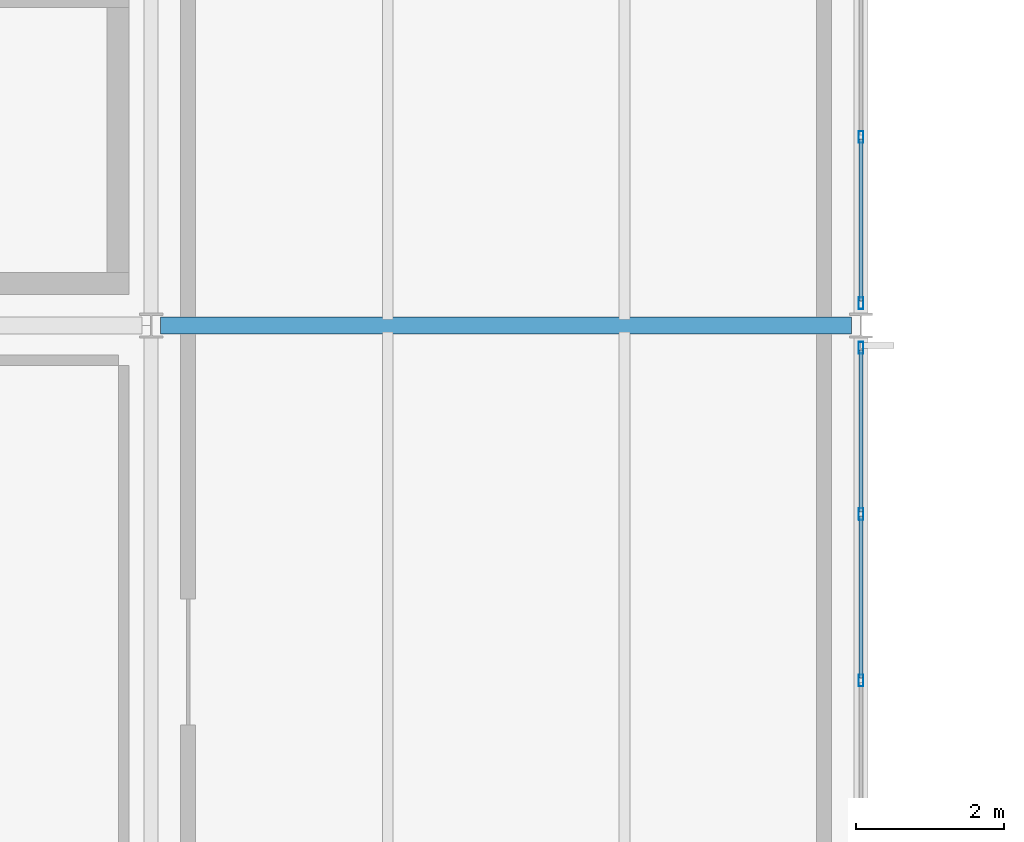
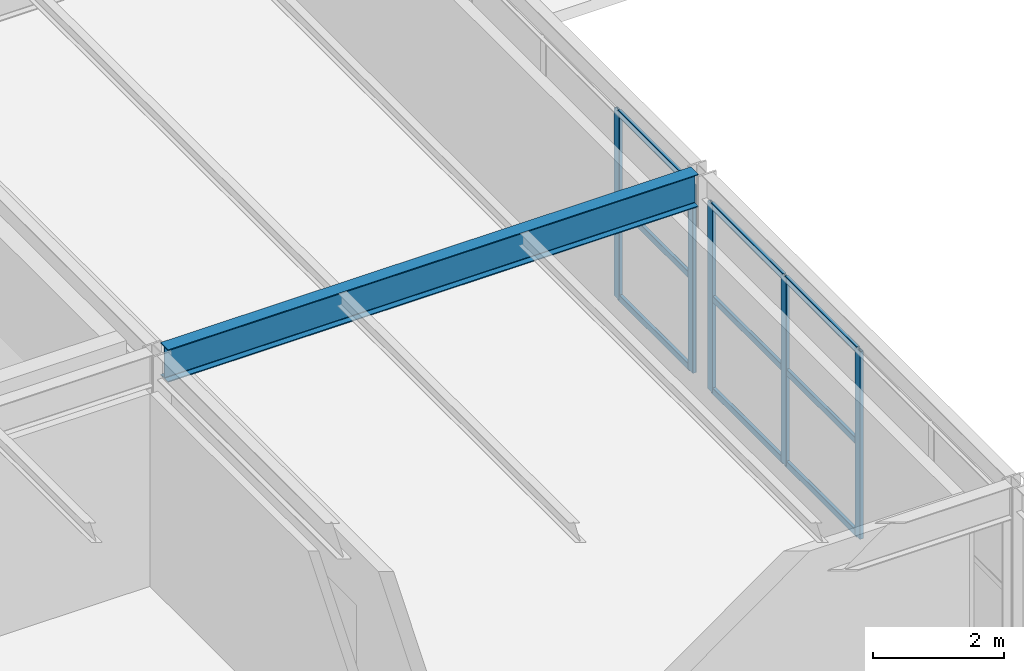
# One storey, part 22 of 126: 14 members, 1 beam, 2 elements without a shape of their own.
"""IFC4 building model written with IfcOpenShell, lengths in metres."""

import ifcopenshell
import ifcopenshell.guid

model = None  # the IFC model being written
_history = None  # IfcOwnerHistory: only IFC2X3 demands one
_inside = {}  # id of a spatial element -> (the spatial element, [elements in it])
_under = {}  # id of a project, library or spatial element -> (it, [spatial elements below it])
_declared = {}  # id of a project -> (the project, [libraries it declares])
_typed = {}  # id of a type object -> (the type object, [elements of that type])
_made_of = {}  # id of a material, layer set ... -> (it, [elements and type objects made of it])


def new_model(schema):
    """Start an empty IFC model of exactly this schema.

    Asked for "IFC4X3", IfcOpenShell would pick the latest addendum, in which some entities
    have other attributes; the version numbers below select the first issue.
    IFC2X3 requires an IfcOwnerHistory on every rooted entity: one is made here for all.
    """
    global model, _history
    if schema == "IFC4X3":
        model = ifcopenshell.file(schema_version=(4, 3, 0, 0))
    else:
        model = ifcopenshell.file(schema=schema)
    _inside.clear()
    _under.clear()
    _declared.clear()
    _typed.clear()
    _made_of.clear()
    _history = None
    if model.schema == "IFC2X3":
        org = make("IfcOrganization", Name="unknown")
        user = make(
            "IfcPersonAndOrganization",
            ThePerson=make("IfcPerson", FamilyName="unknown"),
            TheOrganization=org,
        )
        app = make(
            "IfcApplication",
            ApplicationDeveloper=org,
            Version="unknown",
            ApplicationFullName="unknown",
            ApplicationIdentifier="unknown",
        )
        _history = make(
            "IfcOwnerHistory",
            OwningUser=user,
            OwningApplication=app,
            ChangeAction="ADDED",
            CreationDate=0,
        )
    return model


def make(cls, **values):
    """One entity of the class cls with the attributes given. An attribute that is None is left unset."""
    return model.create_entity(
        cls, **{name: value for name, value in values.items() if value is not None}
    )


def rooted(cls, **values):
    """An entity with a GlobalId (a new one), such as an element, a storey or a relation."""
    return make(cls, GlobalId=ifcopenshell.guid.new(), OwnerHistory=_history, **values)


def si_unit(unit_type, name, prefix=None):
    """IfcSIUnit, for example si_unit("LENGTHUNIT", "METRE", prefix="MILLI")."""
    return make("IfcSIUnit", UnitType=unit_type, Prefix=prefix, Name=name)


def assignment(units):
    """IfcUnitAssignment: the units of a project."""
    return None if units is None else make("IfcUnitAssignment", Units=units)


def point(xyz):
    """IfcCartesianPoint."""
    return None if xyz is None else make("IfcCartesianPoint", Coordinates=xyz)


def direction(xyz):
    """IfcDirection."""
    return None if xyz is None else make("IfcDirection", DirectionRatios=xyz)


def frame(location, z_axis=None, x_axis=None):
    """IfcAxis2Placement3D, a coordinate frame: its origin and axes. An axis left out is left unset."""
    return make(
        "IfcAxis2Placement3D",
        Location=point(location),
        Axis=direction(z_axis),
        RefDirection=direction(x_axis),
    )


def frame_2d(location, x_axis=None):
    """IfcAxis2Placement2D, a coordinate frame in the plane: its origin and x axis."""
    return make(
        "IfcAxis2Placement2D", Location=point(location), RefDirection=direction(x_axis)
    )


def origin():
    """The frame at (0, 0, 0) with its axes left unset."""
    return frame((0.0, 0.0, 0.0))


def origin_2d():
    """The frame at (0, 0) in the plane with its x axis left unset."""
    return frame_2d((0.0, 0.0))


def place(relative_to, where):
    """IfcLocalPlacement: puts the frame where relative to a parent placement (None: the world)."""
    return make(
        "IfcLocalPlacement", PlacementRelTo=relative_to, RelativePlacement=where
    )


def context(
    kind, dimensions, precision=None, world=None, true_north=None, identifier=None
):
    """IfcGeometricRepresentationContext, for example the 3D "Model" context."""
    return make(
        "IfcGeometricRepresentationContext",
        ContextIdentifier=identifier,
        ContextType=kind,
        CoordinateSpaceDimension=dimensions,
        Precision=precision,
        WorldCoordinateSystem=world,
        TrueNorth=true_north,
    )


def subcontext(parent, identifier, kind, view, scale=None):
    """IfcGeometricRepresentationSubContext, for example "Body" below "Model"."""
    return make(
        "IfcGeometricRepresentationSubContext",
        ContextIdentifier=identifier,
        ContextType=kind,
        ParentContext=parent,
        TargetScale=scale,
        TargetView=view,
    )


def project(units=None, contexts=None):
    """IfcProject with its units and contexts."""
    return rooted(
        "IfcProject",
        Name="project",
        RepresentationContexts=contexts,
        UnitsInContext=assignment(units),
    )


def spatial(cls, under=None, at=None, **own):
    """A site, building, storey or space (cls), placed at a placement, below another one or the project."""
    s = rooted(cls, ObjectPlacement=at, **own)
    if under is not None:
        _under.setdefault(under.id(), (under, []))[1].append(s)
    return s


def profile(cls, at=None, kind="AREA", **sizes):
    """A parametric profile (cls). Its sizes go by their IFC names, for example OverallWidth=200.0."""
    return make(cls, ProfileType=kind, Position=at, **sizes)


def hollow_rectangle(**sizes):
    """IfcRectangleHollowProfileDef."""
    return profile("IfcRectangleHollowProfileDef", **sizes)


def i_section(**sizes):
    """IfcIShapeProfileDef."""
    return profile("IfcIShapeProfileDef", **sizes)


def extrude(swept, where, along, depth):
    """IfcExtrudedAreaSolid: the profile swept, set in the frame where, extruded along a direction by depth."""
    return make(
        "IfcExtrudedAreaSolid",
        SweptArea=swept,
        Position=where,
        ExtrudedDirection=direction(along),
        Depth=depth,
    )


def shape(context_of_items, identifier, shape_type, items):
    """IfcShapeRepresentation: the items that make up one representation, for example the "Body"."""
    return make(
        "IfcShapeRepresentation",
        ContextOfItems=context_of_items,
        RepresentationIdentifier=identifier,
        RepresentationType=shape_type,
        Items=items,
    )


def material(Name=None, Category=None):
    """IfcMaterial."""
    return make("IfcMaterial", Name=Name, Category=Category)


def material_profile(
    of_material, cross_section, Name=None, Category=None, Priority=None
):
    """IfcMaterialProfile: a cross section and its material."""
    return make(
        "IfcMaterialProfile",
        Name=Name,
        Material=of_material,
        Profile=cross_section,
        Priority=Priority,
        Category=Category,
    )


def profile_set(profiles, Name=None, composite=None):
    """IfcMaterialProfileSet."""
    return make(
        "IfcMaterialProfileSet",
        Name=Name,
        MaterialProfiles=profiles,
        CompositeProfile=composite,
    )


def made_of(thing, what):
    """Note that an element or type object is made of a material, layer set ...; save() writes the relation."""
    if what is not None:
        _made_of.setdefault(what.id(), (what, []))[1].append(thing)
    return thing


def type_object(cls, material=None, **own):
    """A type object (cls), such as IfcWallType, which elements share."""
    return made_of(rooted(cls, **own), material)


def element(
    cls,
    number,
    at=None,
    inside=None,
    cuts=None,
    type_object=None,
    material=None,
    context=None,
    identifier="Body",
    shape_type=None,
    held_by="IfcProductDefinitionShape",
    body=None,
    shapes=None,
    **own,
):
    """One element of the class cls, such as IfcWall. Its Tag is "e" and its number.

    at: its placement. inside: the storey or other place that contains it. cuts: it is an
    opening in that element (IfcRelVoidsElement). A single representation is given by context,
    identifier, shape_type and body (its items); several are given by shapes. held_by: the class
    of the entity that holds the representations. save() writes the other relations.
    """
    e = rooted(cls, Tag="e%d" % number, ObjectPlacement=at, **own)
    if body is not None:
        shapes = [shape(context, identifier, shape_type, body)]
    if shapes is not None:
        e.Representation = make(held_by, Representations=shapes)
    if inside is not None:
        _inside.setdefault(inside.id(), (inside, []))[1].append(e)
    if cuts is not None:
        rooted(
            "IfcRelVoidsElement", RelatingBuildingElement=cuts, RelatedOpeningElement=e
        )
    if type_object is not None:
        _typed.setdefault(type_object.id(), (type_object, []))[1].append(e)
    return made_of(e, material)


def aggregate(whole, parts):
    """IfcRelAggregates: a whole, such as a stair, and the parts it consists of."""
    return rooted("IfcRelAggregates", RelatingObject=whole, RelatedObjects=parts)


def save(model, path):
    """Write the relations noted so far, then the file.

    IfcRelAggregates (storeys below a building ...), IfcRelContainedInSpatialStructure (elements
    in a storey), IfcRelDefinesByType, IfcRelAssociatesMaterial and IfcRelDeclares: one each for
    every whole, place, type object, material and project.
    """
    for whole, parts in _under.values():
        aggregate(whole, parts)
    for where, things in _inside.values():
        rooted(
            "IfcRelContainedInSpatialStructure",
            RelatedElements=things,
            RelatingStructure=where,
        )
    for kind, things in _typed.values():
        rooted("IfcRelDefinesByType", RelatedObjects=things, RelatingType=kind)
    for what, things in _made_of.values():
        rooted("IfcRelAssociatesMaterial", RelatedObjects=things, RelatingMaterial=what)
    for by, libraries in _declared.values():
        rooted("IfcRelDeclares", RelatingContext=by, RelatedDefinitions=libraries)
    model.write(path)


model = new_model("IFC4")

# Units and contexts
model_context = context("Model", 3, precision=1e-05, world=origin(), true_north=direction((0.0, 1.0)))
body_context = subcontext(model_context, "Body", "Model", "MODEL_VIEW")
ifc_project = project(units=[si_unit("LENGTHUNIT", "METRE"), si_unit("AREAUNIT", "SQUARE_METRE"), si_unit("VOLUMEUNIT", "CUBIC_METRE"), si_unit("PLANEANGLEUNIT", "RADIAN"), si_unit("MASSUNIT", "GRAM", prefix="KILO")], contexts=[model_context])

# Site, building, storey
site_placement = place(None, origin())
site = spatial("IfcSite", under=ifc_project, at=site_placement, CompositionType="ELEMENT")
building_placement = place(site_placement, origin())
building = spatial("IfcBuilding", under=site, at=building_placement, Name="Coralgate Yard Interchange", CompositionType="ELEMENT")
storey_placement = place(building_placement, frame((0.0, 0.0, 10.5)))
storey = spatial("IfcBuildingStorey", under=building, at=storey_placement, Name="L02", CompositionType="ELEMENT", Elevation=10.5)

# Beam
ifc_material_1 = material(Name="Structural steel S355J2", Category="steel")
ifc_material_profile_1 = material_profile(ifc_material_1, i_section(OverallWidth=0.228271484375, OverallDepth=0.607666015625, WebThickness=0.010986328125, FlangeThickness=0.017333984375, FilletRadius=0.0126953125, at=origin_2d()), Name="UB 610x229x113")
ifc_profile_set_1 = profile_set([ifc_material_profile_1], Name="Structural steel S355J2")
beam_type = type_object("IfcBeamType", Name="BM-SG-5", PredefinedType="BEAM", material=ifc_profile_set_1)
beam_placement = place(storey_placement, frame((19.3271484375, 28.800048828125, 3.646240234375), z_axis=(1.0, 0.0, 0.0), x_axis=(0.0, 1.0, 0.0)))
element("IfcBeam", 1, at=beam_placement, inside=storey, type_object=beam_type, Name="L02 primary grid beam Y3 X2-3", PredefinedType="BEAM", context=body_context, shape_type="SweptSolid", body=[
    extrude(i_section(OverallWidth=0.228271484375, OverallDepth=0.607666015625, WebThickness=0.010986328125, FlangeThickness=0.017333984375, FilletRadius=0.0126953125, at=origin_2d()), origin(), (0.0, 0.0, 1.0), 9.345458984375),
])

# Curtain wall, members
ifc_material_2 = material(Name="Anodised coastal aluminium and solar-control low-E glass", Category="aluminium")
curtain_wall_type = type_object("IfcCurtainWallType", Name="CW-CW-L02-A", PredefinedType="NOTDEFINED", material=ifc_material_2)
curtain_wall_1_placement = place(storey_placement, origin())
curtain_wall_1 = element("IfcCurtainWall", 2, at=curtain_wall_1_placement, inside=storey, type_object=curtain_wall_type, Name="L02 unitised curtain wall CW-L02-E-02-02", PredefinedType="NOTDEFINED")
ifc_material_3 = material(Name="Anodised coastal aluminium 6063-T6", Category="aluminium")
ifc_material_profile_2 = material_profile(ifc_material_3, hollow_rectangle(XDim=0.06494140625, YDim=0.159912109375, WallThickness=0.00390625, InnerFilletRadius=0.00390625, OuterFilletRadius=0.008056640625, at=origin_2d()), Name="ALU 65x160x4")
ifc_profile_set_2 = profile_set([ifc_material_profile_2], Name="Anodised coastal aluminium 6063-T6")
member_type_1 = type_object("IfcMemberType", Name="MB-MUL-160", PredefinedType="MULLION", material=ifc_profile_set_2)
member_1_placement = place(storey_placement, frame((28.800048828125, 28.5, 0.0), z_axis=(0.0, 0.0, 1.0), x_axis=(1.0, 0.0, 0.0)))
member_1 = element("IfcMember", 3, at=member_1_placement, type_object=member_type_1, Name="CW-L02-E-02-02 vertical mullion 1", PredefinedType="MULLION", context=body_context, shape_type="SweptSolid", body=[
    extrude(hollow_rectangle(XDim=0.06494140625, YDim=0.159912109375, WallThickness=0.00390625, InnerFilletRadius=0.00390625, OuterFilletRadius=0.008056640625, at=origin_2d()), origin(), (0.0, 0.0, 1.0), 3.492919921875),
])
member_2_placement = place(storey_placement, frame((28.800048828125, 26.25, 0.0), z_axis=(0.0, 0.0, 1.0), x_axis=(1.0, 0.0, 0.0)))
member_2 = element("IfcMember", 4, at=member_2_placement, type_object=member_type_1, Name="CW-L02-E-02-02 vertical mullion 2", PredefinedType="MULLION", context=body_context, shape_type="SweptSolid", body=[
    extrude(hollow_rectangle(XDim=0.06494140625, YDim=0.159912109375, WallThickness=0.00390625, InnerFilletRadius=0.00390625, OuterFilletRadius=0.008056640625, at=origin_2d()), origin(), (0.0, 0.0, 1.0), 3.492919921875),
])
member_3_placement = place(storey_placement, frame((28.800048828125, 24.0, 0.0), z_axis=(0.0, 0.0, 1.0), x_axis=(1.0, 0.0, 0.0)))
member_3 = element("IfcMember", 5, at=member_3_placement, type_object=member_type_1, Name="CW-L02-E-02-02 vertical mullion 3", PredefinedType="MULLION", context=body_context, shape_type="SweptSolid", body=[
    extrude(hollow_rectangle(XDim=0.06494140625, YDim=0.159912109375, WallThickness=0.00390625, InnerFilletRadius=0.00390625, OuterFilletRadius=0.008056640625, at=origin_2d()), origin(), (0.0, 0.0, 1.0), 3.492919921875),
])

curtain_wall_2_placement = place(storey_placement, origin())
curtain_wall_2 = element("IfcCurtainWall", 6, at=curtain_wall_2_placement, inside=storey, type_object=curtain_wall_type, Name="L02 unitised curtain wall CW-L02-E-02-03", PredefinedType="NOTDEFINED")
member_4_placement = place(storey_placement, frame((28.800048828125, 31.35009765625, 0.0), z_axis=(0.0, 0.0, 1.0), x_axis=(1.0, 0.0, 0.0)))
member_4 = element("IfcMember", 7, at=member_4_placement, type_object=member_type_1, Name="CW-L02-E-02-03 vertical mullion 4", PredefinedType="MULLION", context=body_context, shape_type="SweptSolid", body=[
    extrude(hollow_rectangle(XDim=0.06494140625, YDim=0.159912109375, WallThickness=0.00390625, InnerFilletRadius=0.00390625, OuterFilletRadius=0.008056640625, at=origin_2d()), origin(), (0.0, 0.0, 1.0), 3.492919921875),
])
member_5_placement = place(storey_placement, frame((28.800048828125, 29.10009765625, 0.0), z_axis=(0.0, 0.0, 1.0), x_axis=(1.0, 0.0, 0.0)))
member_5 = element("IfcMember", 8, at=member_5_placement, type_object=member_type_1, Name="CW-L02-E-02-03 vertical mullion 5", PredefinedType="MULLION", context=body_context, shape_type="SweptSolid", body=[
    extrude(hollow_rectangle(XDim=0.06494140625, YDim=0.159912109375, WallThickness=0.00390625, InnerFilletRadius=0.00390625, OuterFilletRadius=0.008056640625, at=origin_2d()), origin(), (0.0, 0.0, 1.0), 3.492919921875),
])

# Member
ifc_material_profile_3 = material_profile(ifc_material_3, hollow_rectangle(XDim=0.06005859375, YDim=0.1201171875, WallThickness=0.00341796875, InnerFilletRadius=0.00341796875, OuterFilletRadius=0.007080078125, at=origin_2d()), Name="ALU 60x120x3.5")
ifc_profile_set_3 = profile_set([ifc_material_profile_3], Name="Anodised coastal aluminium 6063-T6")
member_type_2 = type_object("IfcMemberType", Name="MB-TRN-120", PredefinedType="USERDEFINED", material=ifc_profile_set_3)
member_6_placement = place(storey_placement, frame((28.800048828125, 28.469970703125, 0.034912109375), z_axis=(0.0, -1.0, 0.0), x_axis=(1.0, 0.0, 0.0)))
member_6 = element("IfcMember", 9, at=member_6_placement, type_object=member_type_2, Name="CW-L02-E-02-02 horizontal transom 1-1", ObjectType="TRANSOM", PredefinedType="USERDEFINED", context=body_context, shape_type="SweptSolid", body=[
    extrude(hollow_rectangle(XDim=0.06005859375, YDim=0.1201171875, WallThickness=0.00341796875, InnerFilletRadius=0.00341796875, OuterFilletRadius=0.007080078125, at=origin_2d()), origin(), (0.0, 0.0, 1.0), 2.18994140625),
])

member_7_placement = place(storey_placement, frame((28.800048828125, 28.469970703125, 1.74658203125), z_axis=(0.0, -1.0, 0.0), x_axis=(1.0, 0.0, 0.0)))
member_7 = element("IfcMember", 10, at=member_7_placement, type_object=member_type_2, Name="CW-L02-E-02-02 horizontal transom 1-2", ObjectType="TRANSOM", PredefinedType="USERDEFINED", context=body_context, shape_type="SweptSolid", body=[
    extrude(hollow_rectangle(XDim=0.06005859375, YDim=0.1201171875, WallThickness=0.00341796875, InnerFilletRadius=0.00341796875, OuterFilletRadius=0.007080078125, at=origin_2d()), origin(), (0.0, 0.0, 1.0), 2.18994140625),
])

member_8_placement = place(storey_placement, frame((28.800048828125, 28.469970703125, 3.4580078125), z_axis=(0.0, -1.0, 0.0), x_axis=(1.0, 0.0, 0.0)))
member_8 = element("IfcMember", 11, at=member_8_placement, type_object=member_type_2, Name="CW-L02-E-02-02 horizontal transom 1-3", ObjectType="TRANSOM", PredefinedType="USERDEFINED", context=body_context, shape_type="SweptSolid", body=[
    extrude(hollow_rectangle(XDim=0.06005859375, YDim=0.1201171875, WallThickness=0.00341796875, InnerFilletRadius=0.00341796875, OuterFilletRadius=0.007080078125, at=origin_2d()), origin(), (0.0, 0.0, 1.0), 2.18994140625),
])

member_9_placement = place(storey_placement, frame((28.800048828125, 26.219970703125, 0.034912109375), z_axis=(0.0, -1.0, 0.0), x_axis=(1.0, 0.0, 0.0)))
member_9 = element("IfcMember", 12, at=member_9_placement, type_object=member_type_2, Name="CW-L02-E-02-02 horizontal transom 2-1", ObjectType="TRANSOM", PredefinedType="USERDEFINED", context=body_context, shape_type="SweptSolid", body=[
    extrude(hollow_rectangle(XDim=0.06005859375, YDim=0.1201171875, WallThickness=0.00341796875, InnerFilletRadius=0.00341796875, OuterFilletRadius=0.007080078125, at=origin_2d()), origin(), (0.0, 0.0, 1.0), 2.18994140625),
])

member_10_placement = place(storey_placement, frame((28.800048828125, 26.219970703125, 1.74658203125), z_axis=(0.0, -1.0, 0.0), x_axis=(1.0, 0.0, 0.0)))
member_10 = element("IfcMember", 13, at=member_10_placement, type_object=member_type_2, Name="CW-L02-E-02-02 horizontal transom 2-2", ObjectType="TRANSOM", PredefinedType="USERDEFINED", context=body_context, shape_type="SweptSolid", body=[
    extrude(hollow_rectangle(XDim=0.06005859375, YDim=0.1201171875, WallThickness=0.00341796875, InnerFilletRadius=0.00341796875, OuterFilletRadius=0.007080078125, at=origin_2d()), origin(), (0.0, 0.0, 1.0), 2.18994140625),
])

member_11_placement = place(storey_placement, frame((28.800048828125, 26.219970703125, 3.4580078125), z_axis=(0.0, -1.0, 0.0), x_axis=(1.0, 0.0, 0.0)))
member_11 = element("IfcMember", 14, at=member_11_placement, type_object=member_type_2, Name="CW-L02-E-02-02 horizontal transom 2-3", ObjectType="TRANSOM", PredefinedType="USERDEFINED", context=body_context, shape_type="SweptSolid", body=[
    extrude(hollow_rectangle(XDim=0.06005859375, YDim=0.1201171875, WallThickness=0.00341796875, InnerFilletRadius=0.00341796875, OuterFilletRadius=0.007080078125, at=origin_2d()), origin(), (0.0, 0.0, 1.0), 2.18994140625),
])

aggregate(curtain_wall_1, [member_1, member_2, member_3, member_6, member_7, member_8, member_9, member_10, member_11])

member_12_placement = place(storey_placement, frame((28.800048828125, 31.320068359375, 0.034912109375), z_axis=(0.0, -1.0, 0.0), x_axis=(1.0, 0.0, 0.0)))
member_12 = element("IfcMember", 15, at=member_12_placement, type_object=member_type_2, Name="CW-L02-E-02-03 horizontal transom 4-1", ObjectType="TRANSOM", PredefinedType="USERDEFINED", context=body_context, shape_type="SweptSolid", body=[
    extrude(hollow_rectangle(XDim=0.06005859375, YDim=0.1201171875, WallThickness=0.00341796875, InnerFilletRadius=0.00341796875, OuterFilletRadius=0.007080078125, at=origin_2d()), origin(), (0.0, 0.0, 1.0), 2.190185546875),
])

member_13_placement = place(storey_placement, frame((28.800048828125, 31.320068359375, 1.74658203125), z_axis=(0.0, -1.0, 0.0), x_axis=(1.0, 0.0, 0.0)))
member_13 = element("IfcMember", 16, at=member_13_placement, type_object=member_type_2, Name="CW-L02-E-02-03 horizontal transom 4-2", ObjectType="TRANSOM", PredefinedType="USERDEFINED", context=body_context, shape_type="SweptSolid", body=[
    extrude(hollow_rectangle(XDim=0.06005859375, YDim=0.1201171875, WallThickness=0.00341796875, InnerFilletRadius=0.00341796875, OuterFilletRadius=0.007080078125, at=origin_2d()), origin(), (0.0, 0.0, 1.0), 2.190185546875),
])

member_14_placement = place(storey_placement, frame((28.800048828125, 31.320068359375, 3.4580078125), z_axis=(0.0, -1.0, 0.0), x_axis=(1.0, 0.0, 0.0)))
member_14 = element("IfcMember", 17, at=member_14_placement, type_object=member_type_2, Name="CW-L02-E-02-03 horizontal transom 4-3", ObjectType="TRANSOM", PredefinedType="USERDEFINED", context=body_context, shape_type="SweptSolid", body=[
    extrude(hollow_rectangle(XDim=0.06005859375, YDim=0.1201171875, WallThickness=0.00341796875, InnerFilletRadius=0.00341796875, OuterFilletRadius=0.007080078125, at=origin_2d()), origin(), (0.0, 0.0, 1.0), 2.190185546875),
])

aggregate(curtain_wall_2, [member_4, member_5, member_12, member_13, member_14])

save(model, "model.ifc")
